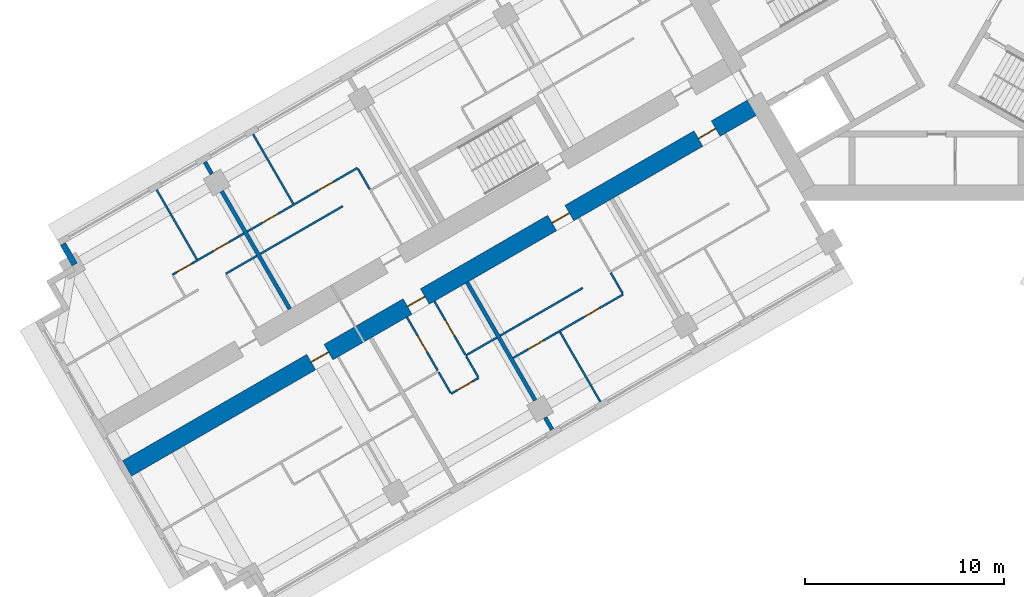
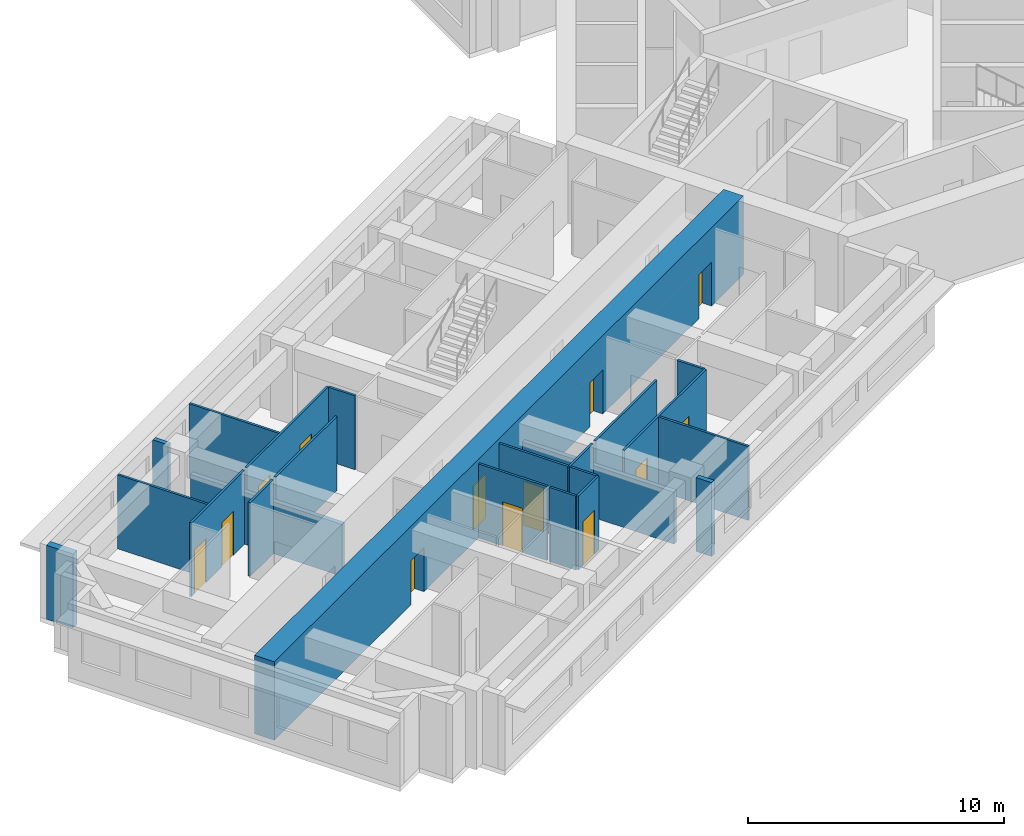
# One storey, part 4 of 14: 23 walls, 13 doors, 13 openings.
"""IFC4 building model written with IfcOpenShell, lengths in metres."""

import ifcopenshell
import ifcopenshell.guid

model = None  # the IFC model being written
_history = None  # IfcOwnerHistory: only IFC2X3 demands one
_inside = {}  # id of a spatial element -> (the spatial element, [elements in it])
_under = {}  # id of a project, library or spatial element -> (it, [spatial elements below it])
_declared = {}  # id of a project -> (the project, [libraries it declares])
_typed = {}  # id of a type object -> (the type object, [elements of that type])
_made_of = {}  # id of a material, layer set ... -> (it, [elements and type objects made of it])


def new_model(schema):
    """Start an empty IFC model of exactly this schema.

    Asked for "IFC4X3", IfcOpenShell would pick the latest addendum, in which some entities
    have other attributes; the version numbers below select the first issue.
    IFC2X3 requires an IfcOwnerHistory on every rooted entity: one is made here for all.
    """
    global model, _history
    if schema == "IFC4X3":
        model = ifcopenshell.file(schema_version=(4, 3, 0, 0))
    else:
        model = ifcopenshell.file(schema=schema)
    _inside.clear()
    _under.clear()
    _declared.clear()
    _typed.clear()
    _made_of.clear()
    _history = None
    if model.schema == "IFC2X3":
        org = make("IfcOrganization", Name="unknown")
        user = make(
            "IfcPersonAndOrganization",
            ThePerson=make("IfcPerson", FamilyName="unknown"),
            TheOrganization=org,
        )
        app = make(
            "IfcApplication",
            ApplicationDeveloper=org,
            Version="unknown",
            ApplicationFullName="unknown",
            ApplicationIdentifier="unknown",
        )
        _history = make(
            "IfcOwnerHistory",
            OwningUser=user,
            OwningApplication=app,
            ChangeAction="ADDED",
            CreationDate=0,
        )
    return model


def make(cls, **values):
    """One entity of the class cls with the attributes given. An attribute that is None is left unset."""
    return model.create_entity(
        cls, **{name: value for name, value in values.items() if value is not None}
    )


def rooted(cls, **values):
    """An entity with a GlobalId (a new one), such as an element, a storey or a relation."""
    return make(cls, GlobalId=ifcopenshell.guid.new(), OwnerHistory=_history, **values)


def si_unit(unit_type, name, prefix=None):
    """IfcSIUnit, for example si_unit("LENGTHUNIT", "METRE", prefix="MILLI")."""
    return make("IfcSIUnit", UnitType=unit_type, Prefix=prefix, Name=name)


def assignment(units):
    """IfcUnitAssignment: the units of a project."""
    return None if units is None else make("IfcUnitAssignment", Units=units)


def point(xyz):
    """IfcCartesianPoint."""
    return None if xyz is None else make("IfcCartesianPoint", Coordinates=xyz)


def direction(xyz):
    """IfcDirection."""
    return None if xyz is None else make("IfcDirection", DirectionRatios=xyz)


def frame(location, z_axis=None, x_axis=None):
    """IfcAxis2Placement3D, a coordinate frame: its origin and axes. An axis left out is left unset."""
    return make(
        "IfcAxis2Placement3D",
        Location=point(location),
        Axis=direction(z_axis),
        RefDirection=direction(x_axis),
    )


def frame_2d(location, x_axis=None):
    """IfcAxis2Placement2D, a coordinate frame in the plane: its origin and x axis."""
    return make(
        "IfcAxis2Placement2D", Location=point(location), RefDirection=direction(x_axis)
    )


def origin():
    """The frame at (0, 0, 0) with its axes left unset."""
    return frame((0.0, 0.0, 0.0))


def place(relative_to, where):
    """IfcLocalPlacement: puts the frame where relative to a parent placement (None: the world)."""
    return make(
        "IfcLocalPlacement", PlacementRelTo=relative_to, RelativePlacement=where
    )


def context(
    kind, dimensions, precision=None, world=None, true_north=None, identifier=None
):
    """IfcGeometricRepresentationContext, for example the 3D "Model" context."""
    return make(
        "IfcGeometricRepresentationContext",
        ContextIdentifier=identifier,
        ContextType=kind,
        CoordinateSpaceDimension=dimensions,
        Precision=precision,
        WorldCoordinateSystem=world,
        TrueNorth=true_north,
    )


def subcontext(parent, identifier, kind, view, scale=None):
    """IfcGeometricRepresentationSubContext, for example "Body" below "Model"."""
    return make(
        "IfcGeometricRepresentationSubContext",
        ContextIdentifier=identifier,
        ContextType=kind,
        ParentContext=parent,
        TargetScale=scale,
        TargetView=view,
    )


def project(units=None, contexts=None):
    """IfcProject with its units and contexts."""
    return rooted(
        "IfcProject",
        Name="project",
        RepresentationContexts=contexts,
        UnitsInContext=assignment(units),
    )


def spatial(cls, under=None, at=None, **own):
    """A site, building, storey or space (cls), placed at a placement, below another one or the project."""
    s = rooted(cls, ObjectPlacement=at, **own)
    if under is not None:
        _under.setdefault(under.id(), (under, []))[1].append(s)
    return s


def profile(cls, at=None, kind="AREA", **sizes):
    """A parametric profile (cls). Its sizes go by their IFC names, for example OverallWidth=200.0."""
    return make(cls, ProfileType=kind, Position=at, **sizes)


def rectangle(**sizes):
    """IfcRectangleProfileDef."""
    return profile("IfcRectangleProfileDef", **sizes)


def extrude(swept, where, along, depth):
    """IfcExtrudedAreaSolid: the profile swept, set in the frame where, extruded along a direction by depth."""
    return make(
        "IfcExtrudedAreaSolid",
        SweptArea=swept,
        Position=where,
        ExtrudedDirection=direction(along),
        Depth=depth,
    )


def shape(context_of_items, identifier, shape_type, items):
    """IfcShapeRepresentation: the items that make up one representation, for example the "Body"."""
    return make(
        "IfcShapeRepresentation",
        ContextOfItems=context_of_items,
        RepresentationIdentifier=identifier,
        RepresentationType=shape_type,
        Items=items,
    )


def material(Name=None, Category=None):
    """IfcMaterial."""
    return make("IfcMaterial", Name=Name, Category=Category)


def layer(
    of_material, thickness, ventilated=None, Name=None, Category=None, Priority=None
):
    """IfcMaterialLayer: one layer of a wall or slab, of a material (None: an air gap)."""
    return make(
        "IfcMaterialLayer",
        Material=of_material,
        LayerThickness=thickness,
        IsVentilated=ventilated,
        Name=Name,
        Category=Category,
        Priority=Priority,
    )


def layer_set(layers, Name=None):
    """IfcMaterialLayerSet."""
    return make("IfcMaterialLayerSet", MaterialLayers=layers, LayerSetName=Name)


def made_of(thing, what):
    """Note that an element or type object is made of a material, layer set ...; save() writes the relation."""
    if what is not None:
        _made_of.setdefault(what.id(), (what, []))[1].append(thing)
    return thing


def type_object(cls, material=None, **own):
    """A type object (cls), such as IfcWallType, which elements share."""
    return made_of(rooted(cls, **own), material)


def element(
    cls,
    number,
    at=None,
    inside=None,
    cuts=None,
    type_object=None,
    material=None,
    context=None,
    identifier="Body",
    shape_type=None,
    held_by="IfcProductDefinitionShape",
    body=None,
    shapes=None,
    **own,
):
    """One element of the class cls, such as IfcWall. Its Tag is "e" and its number.

    at: its placement. inside: the storey or other place that contains it. cuts: it is an
    opening in that element (IfcRelVoidsElement). A single representation is given by context,
    identifier, shape_type and body (its items); several are given by shapes. held_by: the class
    of the entity that holds the representations. save() writes the other relations.
    """
    e = rooted(cls, Tag="e%d" % number, ObjectPlacement=at, **own)
    if body is not None:
        shapes = [shape(context, identifier, shape_type, body)]
    if shapes is not None:
        e.Representation = make(held_by, Representations=shapes)
    if inside is not None:
        _inside.setdefault(inside.id(), (inside, []))[1].append(e)
    if cuts is not None:
        rooted(
            "IfcRelVoidsElement", RelatingBuildingElement=cuts, RelatedOpeningElement=e
        )
    if type_object is not None:
        _typed.setdefault(type_object.id(), (type_object, []))[1].append(e)
    return made_of(e, material)


def fill(opening, filler):
    """IfcRelFillsElement: the door or window that sits in an opening."""
    return rooted(
        "IfcRelFillsElement",
        RelatingOpeningElement=opening,
        RelatedBuildingElement=filler,
    )


def aggregate(whole, parts):
    """IfcRelAggregates: a whole, such as a stair, and the parts it consists of."""
    return rooted("IfcRelAggregates", RelatingObject=whole, RelatedObjects=parts)


def save(model, path):
    """Write the relations noted so far, then the file.

    IfcRelAggregates (storeys below a building ...), IfcRelContainedInSpatialStructure (elements
    in a storey), IfcRelDefinesByType, IfcRelAssociatesMaterial and IfcRelDeclares: one each for
    every whole, place, type object, material and project.
    """
    for whole, parts in _under.values():
        aggregate(whole, parts)
    for where, things in _inside.values():
        rooted(
            "IfcRelContainedInSpatialStructure",
            RelatedElements=things,
            RelatingStructure=where,
        )
    for kind, things in _typed.values():
        rooted("IfcRelDefinesByType", RelatedObjects=things, RelatingType=kind)
    for what, things in _made_of.values():
        rooted("IfcRelAssociatesMaterial", RelatedObjects=things, RelatingMaterial=what)
    for by, libraries in _declared.values():
        rooted("IfcRelDeclares", RelatingContext=by, RelatedDefinitions=libraries)
    model.write(path)


model = new_model("IFC4")

# Units and contexts
model_context = context("Model", 3, precision=1e-05, world=origin(), true_north=direction((0.0, 1.0)))
body_context = subcontext(model_context, "Body", "Model", "MODEL_VIEW")
ifc_project = project(units=[si_unit("LENGTHUNIT", "METRE"), si_unit("AREAUNIT", "SQUARE_METRE"), si_unit("VOLUMEUNIT", "CUBIC_METRE"), si_unit("PLANEANGLEUNIT", "RADIAN"), si_unit("MASSUNIT", "GRAM", prefix="KILO")], contexts=[model_context])

# Site, building, storey
site_placement = place(None, origin())
site = spatial("IfcSite", under=ifc_project, at=site_placement, CompositionType="ELEMENT")
building_placement = place(site_placement, origin())
building = spatial("IfcBuilding", under=site, at=building_placement, Name="Impinga Residences", CompositionType="ELEMENT")
storey_placement = place(building_placement, frame((0.0, 0.0, 121.0)))
storey = spatial("IfcBuildingStorey", under=building, at=storey_placement, Name="L29", CompositionType="ELEMENT", Elevation=121.0)

# Wall, openings, doors
ifc_material_1 = material(Name="Concrete C60/75", Category="concrete")
ifc_layer_1 = layer(ifc_material_1, 0.89990234375)
ifc_layer_set_1 = layer_set([ifc_layer_1], Name="Concrete C60/75")
wall_type_1 = type_object("IfcWallType", Name="BW2 corridor buttress wall, L24 to L44 900", PredefinedType="SHEAR", material=ifc_layer_set_1)
wall_1_placement = place(storey_placement, frame((-8.95361328125, -6.554931640625, 0.0), z_axis=(0.0, 0.0, 1.0), x_axis=(-0.866024733898, -0.500001160275, 0.0)))
wall_1 = element("IfcWall", 1, at=wall_1_placement, inside=storey, type_object=wall_type_1, Name="Corridor wall BW2 WC L29", PredefinedType="SHEAR", context=body_context, shape_type="SweptSolid", body=[
    extrude(rectangle(XDim=36.7001953125, YDim=0.89990234375, at=frame_2d((18.35009765625, 0.0))), origin(), (0.0, 0.0, 1.0), 3.75),
])
opening_1_placement = place(wall_1_placement, frame((2.5, 0.0, 0.0)))
opening_1 = element("IfcOpeningElement", 2, at=opening_1_placement, cuts=wall_1, Name="Opening D1", PredefinedType="OPENING", context=body_context, shape_type="SweptSolid", body=[
    extrude(rectangle(XDim=1.0, YDim=2.10009765625, at=frame_2d((0.5, 1.050048828125))), frame((0.0, 0.4599609375, 0.0), z_axis=(0.0, -1.0, 0.0), x_axis=(1.0, 0.0, 0.0)), (0.0, 0.0, 1.0), 0.919921875),
])
opening_2_placement = place(wall_1_placement, frame((11.0, 0.0, 0.0)))
opening_2 = element("IfcOpeningElement", 3, at=opening_2_placement, cuts=wall_1, Name="Opening D1", PredefinedType="OPENING", context=body_context, shape_type="SweptSolid", body=[
    extrude(rectangle(XDim=1.0, YDim=2.10009765625, at=frame_2d((0.5, 1.050048828125))), frame((0.0, 0.4599609375, 0.0), z_axis=(0.0, -1.0, 0.0), x_axis=(1.0, 0.0, 0.0)), (0.0, 0.0, 1.0), 0.919921875),
])
opening_3_placement = place(wall_1_placement, frame((19.39990234375, 0.0, 0.0)))
opening_3 = element("IfcOpeningElement", 4, at=opening_3_placement, cuts=wall_1, Name="Opening D1", PredefinedType="OPENING", context=body_context, shape_type="SweptSolid", body=[
    extrude(rectangle(XDim=1.0, YDim=2.10009765625, at=frame_2d((0.5, 1.050048828125))), frame((0.0, 0.4599609375, 0.0), z_axis=(0.0, -1.0, 0.0), x_axis=(1.0, 0.0, 0.0)), (0.0, 0.0, 1.0), 0.919921875),
])
opening_4_placement = place(wall_1_placement, frame((25.0, 0.0, 0.0)))
opening_4 = element("IfcOpeningElement", 5, at=opening_4_placement, cuts=wall_1, Name="Opening D1", PredefinedType="OPENING", context=body_context, shape_type="SweptSolid", body=[
    extrude(rectangle(XDim=1.0, YDim=2.10009765625, at=frame_2d((0.5, 1.050048828125))), frame((0.0, 0.4599609375, 0.0), z_axis=(0.0, -1.0, 0.0), x_axis=(1.0, 0.0, 0.0)), (0.0, 0.0, 1.0), 0.919921875),
])
ifc_material_2 = material(Name="Timber door set", Category="wood")
door_type_1 = type_object("IfcDoorType", Name="D1 apartment entrance door 1000x2100", OperationType="SINGLE_SWING_LEFT", PredefinedType="DOOR", material=ifc_material_2)
door_1_placement = place(opening_1_placement, origin())
door_1 = element("IfcDoor", 6, at=door_1_placement, inside=storey, type_object=door_type_1, Name="Apartment L29-WA1 entrance", OperationType="SINGLE_SWING_LEFT", OverallHeight=2.10009765625, OverallWidth=1.0, PredefinedType="DOOR", context=body_context, shape_type="SweptSolid", body=[
    extrude(rectangle(XDim=1.0, YDim=2.10009765625, at=frame_2d((0.5, 1.050048828125))), frame((0.0, 0.02490234375, 0.0), z_axis=(0.0, -1.0, 0.0), x_axis=(1.0, 0.0, 0.0)), (0.0, 0.0, 1.0), 0.050048828125),
])
fill(opening_1, door_1)
door_2_placement = place(opening_2_placement, origin())
door_2 = element("IfcDoor", 7, at=door_2_placement, inside=storey, type_object=door_type_1, Name="Apartment L29-WA2 entrance", OperationType="SINGLE_SWING_LEFT", OverallHeight=2.10009765625, OverallWidth=1.0, PredefinedType="DOOR", context=body_context, shape_type="SweptSolid", body=[
    extrude(rectangle(XDim=1.0, YDim=2.10009765625, at=frame_2d((0.5, 1.050048828125))), frame((0.0, 0.02490234375, 0.0), z_axis=(0.0, -1.0, 0.0), x_axis=(1.0, 0.0, 0.0)), (0.0, 0.0, 1.0), 0.050048828125),
])
fill(opening_2, door_2)
door_3_placement = place(opening_3_placement, origin())
door_3 = element("IfcDoor", 8, at=door_3_placement, inside=storey, type_object=door_type_1, Name="Apartment L29-WA3 entrance", OperationType="SINGLE_SWING_RIGHT", OverallHeight=2.10009765625, OverallWidth=1.0, PredefinedType="DOOR", context=body_context, shape_type="SweptSolid", body=[
    extrude(rectangle(XDim=1.0, YDim=2.10009765625, at=frame_2d((0.5, 1.050048828125))), frame((0.0, 0.02490234375, 0.0), z_axis=(0.0, -1.0, 0.0), x_axis=(1.0, 0.0, 0.0)), (0.0, 0.0, 1.0), 0.050048828125),
])
fill(opening_3, door_3)
door_4_placement = place(opening_4_placement, origin())
door_4 = element("IfcDoor", 9, at=door_4_placement, inside=storey, type_object=door_type_1, Name="Apartment L29-WA4 entrance", OperationType="SINGLE_SWING_RIGHT", OverallHeight=2.10009765625, OverallWidth=1.0, PredefinedType="DOOR", context=body_context, shape_type="SweptSolid", body=[
    extrude(rectangle(XDim=1.0, YDim=2.10009765625, at=frame_2d((0.5, 1.050048828125))), frame((0.0, 0.02490234375, 0.0), z_axis=(0.0, -1.0, 0.0), x_axis=(1.0, 0.0, 0.0)), (0.0, 0.0, 1.0), 0.050048828125),
])
fill(opening_4, door_4)

# Walls
ifc_material_3 = material(Name="Terracotta rainscreen on blockwork", Category="masonry")
ifc_layer_2 = layer(ifc_material_3, 0.300048828125)
ifc_layer_set_2 = layer_set([ifc_layer_2], Name="EW1 external wall, terracotta rainscreen on blockwork 300")
wall_type_2 = type_object("IfcWallType", Name="EW1 external wall, terracotta rainscreen on blockwork 300", PredefinedType="SOLIDWALL", material=ifc_layer_set_2)
wall_2_placement = place(storey_placement, frame((-43.37109375, -14.64208984375, 0.0), z_axis=(0.0, 0.0, 1.0), x_axis=(-0.500029051137, 0.866008630453, 0.0)))
element("IfcWall", 10, at=wall_2_placement, inside=storey, type_object=wall_type_2, Name="External wall EW1 L29", PredefinedType="SOLIDWALL", context=body_context, shape_type="SweptSolid", body=[
    extrude(rectangle(XDim=1.19482421875, YDim=0.300048828125, at=frame_2d((0.597412109375, 0.0))), origin(), (0.0, 0.0, 1.0), 3.530029296875),
])
ifc_material_4 = material(Name="Gypsum board on steel studs", Category="steel")
ifc_layer_3 = layer(ifc_material_4, 0.10009765625)
ifc_layer_set_3 = layer_set([ifc_layer_3], Name="Gypsum board on steel studs")
wall_type_3 = type_object("IfcWallType", Name="IP1 partition 100", PredefinedType="PARTITIONING", material=ifc_layer_set_3)
wall_3_placement = place(storey_placement, frame((-17.8056640625, -15.82275390625, 0.0), z_axis=(0.0, 0.0, 1.0), x_axis=(-0.866037363387, -0.499979284789, 0.0)))
element("IfcWall", 11, at=wall_3_placement, inside=storey, type_object=wall_type_3, Name="Partition L29-WA2:DIV1", PredefinedType="PARTITIONING", context=body_context, shape_type="SweptSolid", body=[
    extrude(rectangle(XDim=4.800048828125, YDim=0.10009765625, at=frame_2d((2.39990234375, 0.0))), origin(), (0.0, 0.0, 1.0), 3.530029296875),
])

# Wall, openings, doors
wall_4_placement = place(storey_placement, frame((-15.77001953125, -16.1484375, 0.0), z_axis=(0.0, 0.0, 1.0), x_axis=(-0.866018518567, -0.500011925357, 0.0)))
wall_4 = element("IfcWall", 12, at=wall_4_placement, inside=storey, type_object=wall_type_3, Name="Partition L29-WA2:STRIP", PredefinedType="PARTITIONING", context=body_context, shape_type="SweptSolid", body=[
    extrude(rectangle(XDim=6.400146484375, YDim=0.10009765625, at=frame_2d((3.2001953125, 0.0))), origin(), (0.0, 0.0, 1.0), 3.530029296875),
])
opening_5_placement = place(wall_4_placement, frame((1.375, 0.0, 0.0)))
opening_5 = element("IfcOpeningElement", 13, at=opening_5_placement, cuts=wall_4, Name="Opening D2", PredefinedType="OPENING", context=body_context, shape_type="SweptSolid", body=[
    extrude(rectangle(XDim=0.89990234375, YDim=2.10009765625, at=frame_2d((0.449951171875, 1.050048828125))), frame((0.0, 0.06005859375, 0.0), z_axis=(0.0, -1.0, 0.0), x_axis=(1.0, 0.0, 0.0)), (0.0, 0.0, 1.0), 0.1201171875),
])
opening_6_placement = place(wall_4_placement, frame((4.625, 0.0, 0.0)))
opening_6 = element("IfcOpeningElement", 14, at=opening_6_placement, cuts=wall_4, Name="Opening D2", PredefinedType="OPENING", context=body_context, shape_type="SweptSolid", body=[
    extrude(rectangle(XDim=0.89990234375, YDim=2.10009765625, at=frame_2d((0.449951171875, 1.050048828125))), frame((0.0, 0.06005859375, 0.0), z_axis=(0.0, -1.0, 0.0), x_axis=(1.0, 0.0, 0.0)), (0.0, 0.0, 1.0), 0.1201171875),
])
door_type_2 = type_object("IfcDoorType", Name="D2 internal door 900x2100", OperationType="SINGLE_SWING_LEFT", PredefinedType="DOOR", material=ifc_material_2)
door_5_placement = place(opening_5_placement, origin())
door_5 = element("IfcDoor", 15, at=door_5_placement, inside=storey, type_object=door_type_2, Name="Apartment L29-WA2 room door", OperationType="SINGLE_SWING_LEFT", OverallHeight=2.10009765625, OverallWidth=0.89990234375, PredefinedType="DOOR", context=body_context, shape_type="SweptSolid", body=[
    extrude(rectangle(XDim=0.89990234375, YDim=2.10009765625, at=frame_2d((0.449951171875, 1.050048828125))), frame((0.0, 0.02490234375, 0.0), z_axis=(0.0, -1.0, 0.0), x_axis=(1.0, 0.0, 0.0)), (0.0, 0.0, 1.0), 0.050048828125),
])
fill(opening_5, door_5)
door_6_placement = place(opening_6_placement, origin())
door_6 = element("IfcDoor", 16, at=door_6_placement, inside=storey, type_object=door_type_2, Name="Apartment L29-WA2 room door", OperationType="SINGLE_SWING_RIGHT", OverallHeight=2.10009765625, OverallWidth=0.89990234375, PredefinedType="DOOR", context=body_context, shape_type="SweptSolid", body=[
    extrude(rectangle(XDim=0.89990234375, YDim=2.10009765625, at=frame_2d((0.449951171875, 1.050048828125))), frame((0.0, 0.02490234375, 0.0), z_axis=(0.0, -1.0, 0.0), x_axis=(1.0, 0.0, 0.0)), (0.0, 0.0, 1.0), 0.050048828125),
])
fill(opening_6, door_6)

# Walls
wall_5_placement = place(storey_placement, frame((-16.39501953125, -15.06591796875, 0.0), z_axis=(0.0, 0.0, 1.0), x_axis=(0.499880961361, -0.866094119867, 0.0)))
element("IfcWall", 17, at=wall_5_placement, inside=storey, type_object=wall_type_3, Name="Partition L29-WA2:SE0", PredefinedType="PARTITIONING", context=body_context, shape_type="SweptSolid", body=[
    extrude(rectangle(XDim=1.199951171875, YDim=0.10009765625, at=frame_2d((0.60009765625, 0.0))), origin(), (0.0, 0.0, 1.0), 3.530029296875),
])
wall_6_placement = place(storey_placement, frame((-18.949462890625, -18.041748046875, 0.0), z_axis=(0.0, 0.0, 1.0), x_axis=(0.50000943426, -0.866019956843, 0.0)))
element("IfcWall", 18, at=wall_6_placement, inside=storey, type_object=wall_type_3, Name="Partition L29-WA2:OB1", PredefinedType="PARTITIONING", context=body_context, shape_type="SweptSolid", body=[
    extrude(rectangle(XDim=4.05029296875, YDim=0.10009765625, at=frame_2d((2.025146484375, 0.0))), origin(), (0.0, 0.0, 1.0), 3.530029296875),
])
wall_7_placement = place(storey_placement, frame((-22.1357421875, -18.32275390625, 0.0), z_axis=(0.0, 0.0, 1.0), x_axis=(-0.866047807691, -0.499961193289, 0.0)))
element("IfcWall", 19, at=wall_7_placement, inside=storey, type_object=wall_type_3, Name="Partition L29-WA3:DIV0", PredefinedType="PARTITIONING", context=body_context, shape_type="SweptSolid", body=[
    extrude(rectangle(XDim=1.800048828125, YDim=0.10009765625, at=frame_2d((0.89990234375, 0.0))), origin(), (0.0, 0.0, 1.0), 3.530029296875),
])

# Wall, opening, door
wall_8_placement = place(storey_placement, frame((-23.044677734375, -20.3486328125, 0.0), z_axis=(0.0, 0.0, 1.0), x_axis=(-0.866094119867, -0.499880961361, 0.0)))
wall_8 = element("IfcWall", 20, at=wall_8_placement, inside=storey, type_object=wall_type_3, Name="Partition L29-WA3:STRIP", PredefinedType="PARTITIONING", context=body_context, shape_type="SweptSolid", body=[
    extrude(rectangle(XDim=1.60009765625, YDim=0.10009765625, at=frame_2d((0.800048828125, 0.0))), origin(), (0.0, 0.0, 1.0), 3.530029296875),
])
opening_7_placement = place(wall_8_placement, frame((0.35009765625, 0.0, 0.0)))
opening_7 = element("IfcOpeningElement", 21, at=opening_7_placement, cuts=wall_8, Name="Opening D2", PredefinedType="OPENING", context=body_context, shape_type="SweptSolid", body=[
    extrude(rectangle(XDim=0.89990234375, YDim=2.10009765625, at=frame_2d((0.449951171875, 1.050048828125))), frame((0.0, 0.06005859375, 0.0), z_axis=(0.0, -1.0, 0.0), x_axis=(1.0, 0.0, 0.0)), (0.0, 0.0, 1.0), 0.1201171875),
])
door_7_placement = place(opening_7_placement, origin())
door_7 = element("IfcDoor", 22, at=door_7_placement, inside=storey, type_object=door_type_2, Name="Apartment L29-WA3 room door", OperationType="SINGLE_SWING_LEFT", OverallHeight=2.10009765625, OverallWidth=0.89990234375, PredefinedType="DOOR", context=body_context, shape_type="SweptSolid", body=[
    extrude(rectangle(XDim=0.89990234375, YDim=2.10009765625, at=frame_2d((0.449951171875, 1.050048828125))), frame((0.0, 0.02490234375, 0.0), z_axis=(0.0, -1.0, 0.0), x_axis=(1.0, 0.0, 0.0)), (0.0, 0.0, 1.0), 0.050048828125),
])
fill(opening_7, door_7)

# Walls
for number, where, z_axis, x_axis, name in (
    (23, (-23.669677734375, -19.265869140625, 0.0), (0.0, 0.0, 1.0), (0.500033551112, -0.866006032174, 0.0), "Partition L29-WA3:SE0"),
    (24, (-25.055419921875, -20.06591796875, 0.0), (0.0, 0.0, 1.0), (0.500033551112, -0.866006032174, 0.0), "Partition L29-WA3:SE1"),
):
    element("IfcWall", number, at=place(storey_placement, frame(where, z_axis=z_axis, x_axis=x_axis)), inside=storey, type_object=wall_type_3, Name=name, PredefinedType="PARTITIONING", context=body_context, shape_type="SweptSolid", body=[
        extrude(rectangle(XDim=1.2001953125, YDim=0.10009765625, at=frame_2d((0.60009765625, 0.0))), origin(), (0.0, 0.0, 1.0), 3.530029296875),
    ])

# Wall, opening, door
wall_9_placement = place(storey_placement, frame((-25.269775390625, -16.49462890625, 0.0), z_axis=(0.0, 0.0, 1.0), x_axis=(0.49999285859, -0.86602952684, 0.0)))
wall_9 = element("IfcWall", 25, at=wall_9_placement, inside=storey, type_object=wall_type_3, Name="Partition L29-WA3:IB1", PredefinedType="PARTITIONING", context=body_context, shape_type="SweptSolid", body=[
    extrude(rectangle(XDim=3.10009765625, YDim=0.10009765625, at=frame_2d((1.550048828125, 0.0))), origin(), (0.0, 0.0, 1.0), 3.530029296875),
])
opening_8_placement = place(wall_9_placement, frame((1.10009765625, 0.0, 0.0)))
opening_8 = element("IfcOpeningElement", 26, at=opening_8_placement, cuts=wall_9, Name="Opening D2", PredefinedType="OPENING", context=body_context, shape_type="SweptSolid", body=[
    extrude(rectangle(XDim=0.89990234375, YDim=2.10009765625, at=frame_2d((0.449951171875, 1.050048828125))), frame((0.0, 0.06005859375, 0.0), z_axis=(0.0, -1.0, 0.0), x_axis=(1.0, 0.0, 0.0)), (0.0, 0.0, 1.0), 0.1201171875),
])
door_8_placement = place(opening_8_placement, origin())
door_8 = element("IfcDoor", 27, at=door_8_placement, inside=storey, type_object=door_type_2, Name="Apartment L29-WA3 bathroom door", OperationType="SINGLE_SWING_LEFT", OverallHeight=2.10009765625, OverallWidth=0.89990234375, PredefinedType="DOOR", context=body_context, shape_type="SweptSolid", body=[
    extrude(rectangle(XDim=0.89990234375, YDim=2.10009765625, at=frame_2d((0.449951171875, 1.050048828125))), frame((0.0, 0.02490234375, 0.0), z_axis=(0.0, -1.0, 0.0), x_axis=(1.0, 0.0, 0.0)), (0.0, 0.0, 1.0), 0.050048828125),
])
fill(opening_8, door_8)

wall_10_placement = place(storey_placement, frame((-26.6552734375, -17.294677734375, 0.0), z_axis=(0.0, 0.0, 1.0), x_axis=(0.49999285859, -0.86602952684, 0.0)))
wall_10 = element("IfcWall", 28, at=wall_10_placement, inside=storey, type_object=wall_type_3, Name="Partition L29-WA3:IB2", PredefinedType="PARTITIONING", context=body_context, shape_type="SweptSolid", body=[
    extrude(rectangle(XDim=3.10009765625, YDim=0.10009765625, at=frame_2d((1.550048828125, 0.0))), origin(), (0.0, 0.0, 1.0), 3.530029296875),
])
opening_9_placement = place(wall_10_placement, frame((1.10009765625, 0.0, 0.0)))
opening_9 = element("IfcOpeningElement", 29, at=opening_9_placement, cuts=wall_10, Name="Opening D2", PredefinedType="OPENING", context=body_context, shape_type="SweptSolid", body=[
    extrude(rectangle(XDim=0.89990234375, YDim=2.10009765625, at=frame_2d((0.449951171875, 1.050048828125))), frame((0.0, 0.06005859375, 0.0), z_axis=(0.0, -1.0, 0.0), x_axis=(1.0, 0.0, 0.0)), (0.0, 0.0, 1.0), 0.1201171875),
])
door_9_placement = place(opening_9_placement, origin())
door_9 = element("IfcDoor", 30, at=door_9_placement, inside=storey, type_object=door_type_2, Name="Apartment L29-WA3 WC door", OperationType="SINGLE_SWING_LEFT", OverallHeight=2.10009765625, OverallWidth=0.89990234375, PredefinedType="DOOR", context=body_context, shape_type="SweptSolid", body=[
    extrude(rectangle(XDim=0.89990234375, YDim=2.10009765625, at=frame_2d((0.449951171875, 1.050048828125))), frame((0.0, 0.02490234375, 0.0), z_axis=(0.0, -1.0, 0.0), x_axis=(1.0, 0.0, 0.0)), (0.0, 0.0, 1.0), 0.050048828125),
])
fill(opening_9, door_9)

# Wall
wall_11_placement = place(storey_placement, frame((-29.88037109375, -11.708740234375, 0.0), z_axis=(0.0, 0.0, 1.0), x_axis=(-0.866015339567, -0.500017431331, 0.0)))
element("IfcWall", 31, at=wall_11_placement, inside=storey, type_object=wall_type_3, Name="Partition L29-WF2:DIV1", PredefinedType="PARTITIONING", context=body_context, shape_type="SweptSolid", body=[
    extrude(rectangle(XDim=4.800048828125, YDim=0.10009765625, at=frame_2d((2.39990234375, 0.0))), origin(), (0.0, 0.0, 1.0), 3.530029296875),
])

# Wall, openings, doors
wall_12_placement = place(storey_placement, frame((-29.144775390625, -9.782958984375, 0.0), z_axis=(0.0, 0.0, 1.0), x_axis=(-0.866025499775, -0.499999833739, 0.0)))
wall_12 = element("IfcWall", 32, at=wall_12_placement, inside=storey, type_object=wall_type_3, Name="Partition L29-WF2:STRIP", PredefinedType="PARTITIONING", context=body_context, shape_type="SweptSolid", body=[
    extrude(rectangle(XDim=6.39990234375, YDim=0.10009765625, at=frame_2d((3.199951171875, 0.0))), origin(), (0.0, 0.0, 1.0), 3.530029296875),
])
opening_10_placement = place(wall_12_placement, frame((1.375, 0.0, 0.0)))
opening_10 = element("IfcOpeningElement", 33, at=opening_10_placement, cuts=wall_12, Name="Opening D2", PredefinedType="OPENING", context=body_context, shape_type="SweptSolid", body=[
    extrude(rectangle(XDim=0.89990234375, YDim=2.10009765625, at=frame_2d((0.449951171875, 1.050048828125))), frame((0.0, 0.06005859375, 0.0), z_axis=(0.0, -1.0, 0.0), x_axis=(1.0, 0.0, 0.0)), (0.0, 0.0, 1.0), 0.1201171875),
])
opening_11_placement = place(wall_12_placement, frame((4.625, 0.0, 0.0)))
opening_11 = element("IfcOpeningElement", 34, at=opening_11_placement, cuts=wall_12, Name="Opening D2", PredefinedType="OPENING", context=body_context, shape_type="SweptSolid", body=[
    extrude(rectangle(XDim=0.89990234375, YDim=2.10009765625, at=frame_2d((0.449951171875, 1.050048828125))), frame((0.0, 0.06005859375, 0.0), z_axis=(0.0, -1.0, 0.0), x_axis=(1.0, 0.0, 0.0)), (0.0, 0.0, 1.0), 0.1201171875),
])
door_10_placement = place(opening_10_placement, origin())
door_10 = element("IfcDoor", 35, at=door_10_placement, inside=storey, type_object=door_type_2, Name="Apartment L29-WF2 room door", OperationType="SINGLE_SWING_LEFT", OverallHeight=2.10009765625, OverallWidth=0.89990234375, PredefinedType="DOOR", context=body_context, shape_type="SweptSolid", body=[
    extrude(rectangle(XDim=0.89990234375, YDim=2.10009765625, at=frame_2d((0.449951171875, 1.050048828125))), frame((0.0, 0.02490234375, 0.0), z_axis=(0.0, -1.0, 0.0), x_axis=(1.0, 0.0, 0.0)), (0.0, 0.0, 1.0), 0.050048828125),
])
fill(opening_10, door_10)
door_11_placement = place(opening_11_placement, origin())
door_11 = element("IfcDoor", 36, at=door_11_placement, inside=storey, type_object=door_type_2, Name="Apartment L29-WF2 room door", OperationType="SINGLE_SWING_RIGHT", OverallHeight=2.10009765625, OverallWidth=0.89990234375, PredefinedType="DOOR", context=body_context, shape_type="SweptSolid", body=[
    extrude(rectangle(XDim=0.89990234375, YDim=2.10009765625, at=frame_2d((0.449951171875, 1.050048828125))), frame((0.0, 0.02490234375, 0.0), z_axis=(0.0, -1.0, 0.0), x_axis=(1.0, 0.0, 0.0)), (0.0, 0.0, 1.0), 0.050048828125),
])
fill(opening_11, door_11)

# Walls
wall_13_placement = place(storey_placement, frame((-28.519775390625, -10.865478515625, 0.0), z_axis=(0.0, 0.0, 1.0), x_axis=(-0.499969057507, 0.866043267704, 0.0)))
element("IfcWall", 37, at=wall_13_placement, inside=storey, type_object=wall_type_3, Name="Partition L29-WF2:SE0", PredefinedType="PARTITIONING", context=body_context, shape_type="SweptSolid", body=[
    extrude(rectangle(XDim=1.19970703125, YDim=0.10009765625, at=frame_2d((0.599853515625, 0.0))), origin(), (0.0, 0.0, 1.0), 3.530029296875),
])
wall_14_placement = place(storey_placement, frame((-32.3740234375, -11.589599609375, 0.0), z_axis=(0.0, 0.0, 1.0), x_axis=(-0.499990325971, 0.866030989016, 0.0)))
element("IfcWall", 38, at=wall_14_placement, inside=storey, type_object=wall_type_3, Name="Partition L29-WF2:OB1", PredefinedType="PARTITIONING", context=body_context, shape_type="SweptSolid", body=[
    extrude(rectangle(XDim=4.0498046875, YDim=0.10009765625, at=frame_2d((2.02490234375, 0.0))), origin(), (0.0, 0.0, 1.0), 3.530029296875),
])
wall_15_placement = place(storey_placement, frame((-34.21044921875, -14.208740234375, 0.0), z_axis=(0.0, 0.0, 1.0), x_axis=(-0.865989075817, -0.500062916607, 0.0)))
element("IfcWall", 39, at=wall_15_placement, inside=storey, type_object=wall_type_3, Name="Partition L29-WF3:DIV0", PredefinedType="PARTITIONING", context=body_context, shape_type="SweptSolid", body=[
    extrude(rectangle(XDim=1.800048828125, YDim=0.10009765625, at=frame_2d((0.89990234375, 0.0))), origin(), (0.0, 0.0, 1.0), 3.530029296875),
])

# Wall, openings, doors
wall_16_placement = place(storey_placement, frame((-34.8603515625, -13.0830078125, 0.0), z_axis=(0.0, 0.0, 1.0), x_axis=(-0.86602981871, -0.499992353047, 0.0)))
wall_16 = element("IfcWall", 40, at=wall_16_placement, inside=storey, type_object=wall_type_3, Name="Partition L29-WF3:STRIP", PredefinedType="PARTITIONING", context=body_context, shape_type="SweptSolid", body=[
    extrude(rectangle(XDim=4.14990234375, YDim=0.10009765625, at=frame_2d((2.074951171875, 0.0))), origin(), (0.0, 0.0, 1.0), 3.530029296875),
])
opening_12_placement = place(wall_16_placement, frame((0.875, 0.0, 0.0)))
opening_12 = element("IfcOpeningElement", 41, at=opening_12_placement, cuts=wall_16, Name="Opening D2", PredefinedType="OPENING", context=body_context, shape_type="SweptSolid", body=[
    extrude(rectangle(XDim=0.89990234375, YDim=2.10009765625, at=frame_2d((0.449951171875, 1.050048828125))), frame((0.0, 0.06005859375, 0.0), z_axis=(0.0, -1.0, 0.0), x_axis=(1.0, 0.0, 0.0)), (0.0, 0.0, 1.0), 0.1201171875),
])
opening_13_placement = place(wall_16_placement, frame((3.0, 0.0, 0.0)))
opening_13 = element("IfcOpeningElement", 42, at=opening_13_placement, cuts=wall_16, Name="Opening D2", PredefinedType="OPENING", context=body_context, shape_type="SweptSolid", body=[
    extrude(rectangle(XDim=0.89990234375, YDim=2.10009765625, at=frame_2d((0.449951171875, 1.050048828125))), frame((0.0, 0.06005859375, 0.0), z_axis=(0.0, -1.0, 0.0), x_axis=(1.0, 0.0, 0.0)), (0.0, 0.0, 1.0), 0.1201171875),
])
door_12_placement = place(opening_12_placement, origin())
door_12 = element("IfcDoor", 43, at=door_12_placement, inside=storey, type_object=door_type_2, Name="Apartment L29-WF3 room door", OperationType="SINGLE_SWING_LEFT", OverallHeight=2.10009765625, OverallWidth=0.89990234375, PredefinedType="DOOR", context=body_context, shape_type="SweptSolid", body=[
    extrude(rectangle(XDim=0.89990234375, YDim=2.10009765625, at=frame_2d((0.449951171875, 1.050048828125))), frame((0.0, 0.02490234375, 0.0), z_axis=(0.0, -1.0, 0.0), x_axis=(1.0, 0.0, 0.0)), (0.0, 0.0, 1.0), 0.050048828125),
])
fill(opening_12, door_12)
door_13_placement = place(opening_13_placement, origin())
door_13 = element("IfcDoor", 44, at=door_13_placement, inside=storey, type_object=door_type_2, Name="Apartment L29-WF3 room door", OperationType="SINGLE_SWING_RIGHT", OverallHeight=2.10009765625, OverallWidth=0.89990234375, PredefinedType="DOOR", context=body_context, shape_type="SweptSolid", body=[
    extrude(rectangle(XDim=0.89990234375, YDim=2.10009765625, at=frame_2d((0.449951171875, 1.050048828125))), frame((0.0, 0.02490234375, 0.0), z_axis=(0.0, -1.0, 0.0), x_axis=(1.0, 0.0, 0.0)), (0.0, 0.0, 1.0), 0.050048828125),
])
fill(opening_13, door_13)

# Walls
wall_17_placement = place(storey_placement, frame((-37.2236328125, -14.3896484375, 0.0), z_axis=(0.0, 0.0, 1.0), x_axis=(-0.500035537042, 0.866004885491, 0.0)))
element("IfcWall", 45, at=wall_17_placement, inside=storey, type_object=wall_type_3, Name="Partition L29-WF3:OB1", PredefinedType="PARTITIONING", context=body_context, shape_type="SweptSolid", body=[
    extrude(rectangle(XDim=4.050048828125, YDim=0.10009765625, at=frame_2d((2.02490234375, 0.0))), origin(), (0.0, 0.0, 1.0), 3.530029296875),
])
ifc_material_5 = material(Name="Concrete blockwork", Category="masonry")
ifc_layer_4 = layer(ifc_material_5, 0.199951171875)
ifc_layer_set_4 = layer_set([ifc_layer_4], Name="PW1 party wall between apartments 200")
wall_type_4 = type_object("IfcWallType", Name="PW1 party wall between apartments 200", PredefinedType="SOLIDWALL", material=ifc_layer_set_4)
wall_18_placement = place(storey_placement, frame((-23.624267578125, -15.544677734375, 0.0), z_axis=(0.0, 0.0, 1.0), x_axis=(0.499999086063, -0.866025931445, 0.0)))
element("IfcWall", 46, at=wall_18_placement, inside=storey, type_object=wall_type_4, Name="Party wall between apartments L29-WA2:PARTY", PredefinedType="SOLIDWALL", context=body_context, shape_type="SweptSolid", body=[
    extrude(rectangle(XDim=6.85009765625, YDim=0.199951171875, at=frame_2d((3.425048828125, 0.0))), origin(), (0.0, 0.0, 1.0), 2.47998046875),
])
wall_19_placement = place(storey_placement, frame((-19.69921875, -22.343017578125, 0.0), z_axis=(0.0, 0.0, 1.0), x_axis=(0.500114896893, -0.865959057869, 0.0)))
element("IfcWall", 47, at=wall_19_placement, inside=storey, type_object=wall_type_4, Name="Party wall between apartments L29-WA2:PARTYb", PredefinedType="SOLIDWALL", context=body_context, shape_type="SweptSolid", body=[
    extrude(rectangle(XDim=0.699951171875, YDim=0.199951171875, at=frame_2d((0.35009765625, 0.0))), origin(), (0.0, 0.0, 1.0), 3.530029296875),
])
wall_20_placement = place(storey_placement, frame((-32.548828125, -16.88671875, 0.0), z_axis=(0.0, 0.0, 1.0), x_axis=(-0.500014519185, 0.866017020967, 0.0)))
element("IfcWall", 48, at=wall_20_placement, inside=storey, type_object=wall_type_4, Name="Party wall between apartments L29-WF2:PARTY", PredefinedType="SOLIDWALL", context=body_context, shape_type="SweptSolid", body=[
    extrude(rectangle(XDim=6.849853515625, YDim=0.199951171875, at=frame_2d((3.4248046875, 0.0))), origin(), (0.0, 0.0, 1.0), 2.47998046875),
])
wall_21_placement = place(storey_placement, frame((-36.473876953125, -10.088623046875, 0.0), z_axis=(0.0, 0.0, 1.0), x_axis=(-0.499853302173, 0.866110083249, 0.0)))
element("IfcWall", 49, at=wall_21_placement, inside=storey, type_object=wall_type_4, Name="Party wall between apartments L29-WF2:PARTYb", PredefinedType="SOLIDWALL", context=body_context, shape_type="SweptSolid", body=[
    extrude(rectangle(XDim=0.699951171875, YDim=0.199951171875, at=frame_2d((0.35009765625, 0.0))), origin(), (0.0, 0.0, 1.0), 3.530029296875),
])

save(model, "model.ifc")
